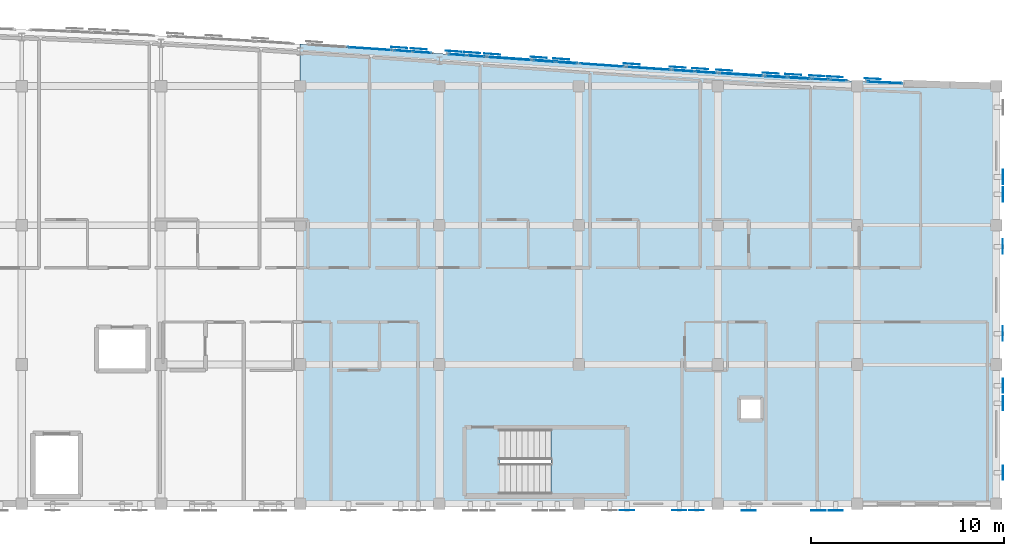
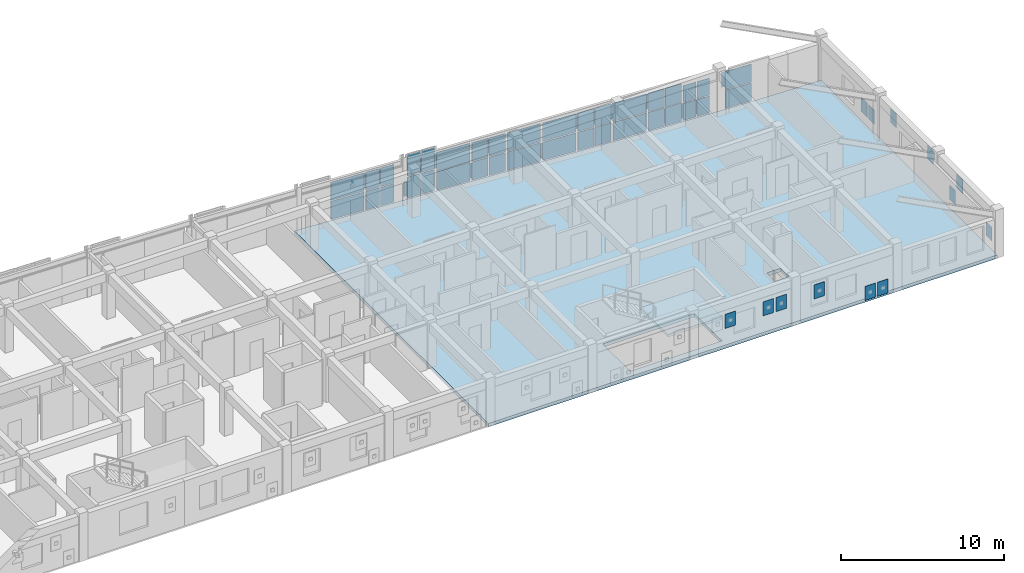
# One storey, part 36 of 51: 65 plates, 2 slabs, 13 elements without a shape of their own.
"""IFC4 building model written with IfcOpenShell, lengths in metres."""

import ifcopenshell
import ifcopenshell.guid

model = None  # the IFC model being written
_history = None  # IfcOwnerHistory: only IFC2X3 demands one
_inside = {}  # id of a spatial element -> (the spatial element, [elements in it])
_under = {}  # id of a project, library or spatial element -> (it, [spatial elements below it])
_declared = {}  # id of a project -> (the project, [libraries it declares])
_typed = {}  # id of a type object -> (the type object, [elements of that type])
_made_of = {}  # id of a material, layer set ... -> (it, [elements and type objects made of it])


def new_model(schema):
    """Start an empty IFC model of exactly this schema.

    Asked for "IFC4X3", IfcOpenShell would pick the latest addendum, in which some entities
    have other attributes; the version numbers below select the first issue.
    IFC2X3 requires an IfcOwnerHistory on every rooted entity: one is made here for all.
    """
    global model, _history
    if schema == "IFC4X3":
        model = ifcopenshell.file(schema_version=(4, 3, 0, 0))
    else:
        model = ifcopenshell.file(schema=schema)
    _inside.clear()
    _under.clear()
    _declared.clear()
    _typed.clear()
    _made_of.clear()
    _history = None
    if model.schema == "IFC2X3":
        org = make("IfcOrganization", Name="unknown")
        user = make(
            "IfcPersonAndOrganization",
            ThePerson=make("IfcPerson", FamilyName="unknown"),
            TheOrganization=org,
        )
        app = make(
            "IfcApplication",
            ApplicationDeveloper=org,
            Version="unknown",
            ApplicationFullName="unknown",
            ApplicationIdentifier="unknown",
        )
        _history = make(
            "IfcOwnerHistory",
            OwningUser=user,
            OwningApplication=app,
            ChangeAction="ADDED",
            CreationDate=0,
        )
    return model


def make(cls, **values):
    """One entity of the class cls with the attributes given. An attribute that is None is left unset."""
    return model.create_entity(
        cls, **{name: value for name, value in values.items() if value is not None}
    )


def rooted(cls, **values):
    """An entity with a GlobalId (a new one), such as an element, a storey or a relation."""
    return make(cls, GlobalId=ifcopenshell.guid.new(), OwnerHistory=_history, **values)


def si_unit(unit_type, name, prefix=None):
    """IfcSIUnit, for example si_unit("LENGTHUNIT", "METRE", prefix="MILLI")."""
    return make("IfcSIUnit", UnitType=unit_type, Prefix=prefix, Name=name)


def assignment(units):
    """IfcUnitAssignment: the units of a project."""
    return None if units is None else make("IfcUnitAssignment", Units=units)


def point(xyz):
    """IfcCartesianPoint."""
    return None if xyz is None else make("IfcCartesianPoint", Coordinates=xyz)


def direction(xyz):
    """IfcDirection."""
    return None if xyz is None else make("IfcDirection", DirectionRatios=xyz)


def frame(location, z_axis=None, x_axis=None):
    """IfcAxis2Placement3D, a coordinate frame: its origin and axes. An axis left out is left unset."""
    return make(
        "IfcAxis2Placement3D",
        Location=point(location),
        Axis=direction(z_axis),
        RefDirection=direction(x_axis),
    )


def frame_2d(location, x_axis=None):
    """IfcAxis2Placement2D, a coordinate frame in the plane: its origin and x axis."""
    return make(
        "IfcAxis2Placement2D", Location=point(location), RefDirection=direction(x_axis)
    )


def origin():
    """The frame at (0, 0, 0) with its axes left unset."""
    return frame((0.0, 0.0, 0.0))


def origin_2d():
    """The frame at (0, 0) in the plane with its x axis left unset."""
    return frame_2d((0.0, 0.0))


def place(relative_to, where):
    """IfcLocalPlacement: puts the frame where relative to a parent placement (None: the world)."""
    return make(
        "IfcLocalPlacement", PlacementRelTo=relative_to, RelativePlacement=where
    )


def context(
    kind, dimensions, precision=None, world=None, true_north=None, identifier=None
):
    """IfcGeometricRepresentationContext, for example the 3D "Model" context."""
    return make(
        "IfcGeometricRepresentationContext",
        ContextIdentifier=identifier,
        ContextType=kind,
        CoordinateSpaceDimension=dimensions,
        Precision=precision,
        WorldCoordinateSystem=world,
        TrueNorth=true_north,
    )


def subcontext(parent, identifier, kind, view, scale=None):
    """IfcGeometricRepresentationSubContext, for example "Body" below "Model"."""
    return make(
        "IfcGeometricRepresentationSubContext",
        ContextIdentifier=identifier,
        ContextType=kind,
        ParentContext=parent,
        TargetScale=scale,
        TargetView=view,
    )


def project(units=None, contexts=None):
    """IfcProject with its units and contexts."""
    return rooted(
        "IfcProject",
        Name="project",
        RepresentationContexts=contexts,
        UnitsInContext=assignment(units),
    )


def spatial(cls, under=None, at=None, **own):
    """A site, building, storey or space (cls), placed at a placement, below another one or the project."""
    s = rooted(cls, ObjectPlacement=at, **own)
    if under is not None:
        _under.setdefault(under.id(), (under, []))[1].append(s)
    return s


def polyline(points):
    """IfcPolyline through the points."""
    return make("IfcPolyline", Points=[point(p) for p in points])


def profile(cls, at=None, kind="AREA", **sizes):
    """A parametric profile (cls). Its sizes go by their IFC names, for example OverallWidth=200.0."""
    return make(cls, ProfileType=kind, Position=at, **sizes)


def rectangle(**sizes):
    """IfcRectangleProfileDef."""
    return profile("IfcRectangleProfileDef", **sizes)


def outline(outer, holes=None, kind="AREA"):
    """IfcArbitraryClosedProfileDef: a profile drawn as a closed curve; with holes, ...WithVoids."""
    if holes is None:
        return make("IfcArbitraryClosedProfileDef", ProfileType=kind, OuterCurve=outer)
    return make(
        "IfcArbitraryProfileDefWithVoids",
        ProfileType=kind,
        OuterCurve=outer,
        InnerCurves=holes,
    )


def extrude(swept, where, along, depth):
    """IfcExtrudedAreaSolid: the profile swept, set in the frame where, extruded along a direction by depth."""
    return make(
        "IfcExtrudedAreaSolid",
        SweptArea=swept,
        Position=where,
        ExtrudedDirection=direction(along),
        Depth=depth,
    )


def shape(context_of_items, identifier, shape_type, items):
    """IfcShapeRepresentation: the items that make up one representation, for example the "Body"."""
    return make(
        "IfcShapeRepresentation",
        ContextOfItems=context_of_items,
        RepresentationIdentifier=identifier,
        RepresentationType=shape_type,
        Items=items,
    )


def material(Name=None, Category=None):
    """IfcMaterial."""
    return make("IfcMaterial", Name=Name, Category=Category)


def layer(
    of_material, thickness, ventilated=None, Name=None, Category=None, Priority=None
):
    """IfcMaterialLayer: one layer of a wall or slab, of a material (None: an air gap)."""
    return make(
        "IfcMaterialLayer",
        Material=of_material,
        LayerThickness=thickness,
        IsVentilated=ventilated,
        Name=Name,
        Category=Category,
        Priority=Priority,
    )


def layer_set(layers, Name=None):
    """IfcMaterialLayerSet."""
    return make("IfcMaterialLayerSet", MaterialLayers=layers, LayerSetName=Name)


def made_of(thing, what):
    """Note that an element or type object is made of a material, layer set ...; save() writes the relation."""
    if what is not None:
        _made_of.setdefault(what.id(), (what, []))[1].append(thing)
    return thing


def type_object(cls, material=None, **own):
    """A type object (cls), such as IfcWallType, which elements share."""
    return made_of(rooted(cls, **own), material)


def element(
    cls,
    number,
    at=None,
    inside=None,
    cuts=None,
    type_object=None,
    material=None,
    context=None,
    identifier="Body",
    shape_type=None,
    held_by="IfcProductDefinitionShape",
    body=None,
    shapes=None,
    **own,
):
    """One element of the class cls, such as IfcWall. Its Tag is "e" and its number.

    at: its placement. inside: the storey or other place that contains it. cuts: it is an
    opening in that element (IfcRelVoidsElement). A single representation is given by context,
    identifier, shape_type and body (its items); several are given by shapes. held_by: the class
    of the entity that holds the representations. save() writes the other relations.
    """
    e = rooted(cls, Tag="e%d" % number, ObjectPlacement=at, **own)
    if body is not None:
        shapes = [shape(context, identifier, shape_type, body)]
    if shapes is not None:
        e.Representation = make(held_by, Representations=shapes)
    if inside is not None:
        _inside.setdefault(inside.id(), (inside, []))[1].append(e)
    if cuts is not None:
        rooted(
            "IfcRelVoidsElement", RelatingBuildingElement=cuts, RelatedOpeningElement=e
        )
    if type_object is not None:
        _typed.setdefault(type_object.id(), (type_object, []))[1].append(e)
    return made_of(e, material)


def aggregate(whole, parts):
    """IfcRelAggregates: a whole, such as a stair, and the parts it consists of."""
    return rooted("IfcRelAggregates", RelatingObject=whole, RelatedObjects=parts)


def save(model, path):
    """Write the relations noted so far, then the file.

    IfcRelAggregates (storeys below a building ...), IfcRelContainedInSpatialStructure (elements
    in a storey), IfcRelDefinesByType, IfcRelAssociatesMaterial and IfcRelDeclares: one each for
    every whole, place, type object, material and project.
    """
    for whole, parts in _under.values():
        aggregate(whole, parts)
    for where, things in _inside.values():
        rooted(
            "IfcRelContainedInSpatialStructure",
            RelatedElements=things,
            RelatingStructure=where,
        )
    for kind, things in _typed.values():
        rooted("IfcRelDefinesByType", RelatedObjects=things, RelatingType=kind)
    for what, things in _made_of.values():
        rooted("IfcRelAssociatesMaterial", RelatedObjects=things, RelatingMaterial=what)
    for by, libraries in _declared.values():
        rooted("IfcRelDeclares", RelatingContext=by, RelatedDefinitions=libraries)
    model.write(path)


model = new_model("IFC4")

# Units and contexts
model_context = context("Model", 3, precision=1e-05, world=origin(), true_north=direction((0.0, 1.0)))
body_context = subcontext(model_context, "Body", "Model", "MODEL_VIEW")
ifc_project = project(units=[si_unit("LENGTHUNIT", "METRE"), si_unit("AREAUNIT", "SQUARE_METRE"), si_unit("VOLUMEUNIT", "CUBIC_METRE"), si_unit("PLANEANGLEUNIT", "RADIAN"), si_unit("MASSUNIT", "GRAM", prefix="KILO")], contexts=[model_context])

# Site, building, storey
site_placement = place(None, origin())
site = spatial("IfcSite", under=ifc_project, at=site_placement, CompositionType="ELEMENT")
building_placement = place(site_placement, origin())
building = spatial("IfcBuilding", under=site, at=building_placement, Name="Carrowvane Square Congress Hotel", CompositionType="ELEMENT")
storey_placement = place(building_placement, frame((0.0, 0.0, 30.0)))
storey = spatial("IfcBuildingStorey", under=building, at=storey_placement, Name="L07", CompositionType="ELEMENT", Elevation=30.0)

# Curtain wall, plates
ifc_material_1 = material(Name="Anodised aluminium", Category="aluminium")
ifc_layer_1 = layer(ifc_material_1, 0.221923828125)
ifc_layer_set_1 = layer_set([ifc_layer_1], Name="Anodised aluminium")
curtain_wall_type_1 = type_object("IfcCurtainWallType", Name="CW-SYS-6", PredefinedType="NOTDEFINED", material=ifc_layer_set_1)
curtain_wall_1_placement = place(storey_placement, origin())
curtain_wall_1 = element("IfcCurtainWall", 1, at=curtain_wall_1_placement, inside=storey, type_object=curtain_wall_type_1, Name="L07 unitised curtain wall 445", PredefinedType="NOTDEFINED")
ifc_material_2 = material(Name="Double-glazed low-E glass", Category="glass")
ifc_layer_2 = layer(ifc_material_2, 0.028076171875)
ifc_layer_set_2 = layer_set([ifc_layer_2], Name="Double-glazed low-E glass")
plate_type_1 = type_object("IfcPlateType", Name="CW-PAN-1", PredefinedType="CURTAIN_PANEL", material=ifc_layer_set_2)
plate_1_placement = place(storey_placement, frame((130.39990234375, 115.33544921875, 0.070068359375), z_axis=(0.0, 0.0, 1.0), x_axis=(0.99769420292, -0.067869562107, 0.0)))
plate_1 = element("IfcPlate", 2, at=plate_1_placement, type_object=plate_type_1, Name="CW-6 panel 1.1", PredefinedType="CURTAIN_PANEL", context=body_context, shape_type="SweptSolid", body=[
    extrude(rectangle(XDim=2.265380859375, YDim=0.028076171875, at=origin_2d()), origin(), (0.0, 0.0, 1.0), 1.36279296875),
])
plate_2_placement = place(storey_placement, frame((130.39990234375, 115.33544921875, 1.502685546875), z_axis=(0.0, 0.0, 1.0), x_axis=(0.99769420292, -0.067869562107, 0.0)))
plate_2 = element("IfcPlate", 3, at=plate_2_placement, type_object=plate_type_1, Name="CW-6 panel 1.2", PredefinedType="CURTAIN_PANEL", context=body_context, shape_type="SweptSolid", body=[
    extrude(rectangle(XDim=2.265380859375, YDim=0.028076171875, at=origin_2d()), origin(), (0.0, 0.0, 1.0), 1.36279296875),
])
aggregate(curtain_wall_1, [plate_1, plate_2])

ifc_material_3 = material(Name="Anodised aluminium", Category="aluminium")
ifc_layer_3 = layer(ifc_material_3, 0.18603515625)
ifc_layer_set_3 = layer_set([ifc_layer_3], Name="Anodised aluminium")
curtain_wall_type_2 = type_object("IfcCurtainWallType", Name="CW-SYS-3", PredefinedType="NOTDEFINED", material=ifc_layer_set_3)
curtain_wall_2_placement = place(storey_placement, origin())
curtain_wall_2 = element("IfcCurtainWall", 4, at=curtain_wall_2_placement, inside=storey, type_object=curtain_wall_type_2, Name="L07 unitised curtain wall 450", PredefinedType="NOTDEFINED")
plate_3_placement = place(storey_placement, frame((142.39990234375, 114.486328125, 0.06005859375), z_axis=(0.0, 0.0, 1.0), x_axis=(0.997505697746, -0.070585996942, 0.0)))
plate_3 = element("IfcPlate", 5, at=plate_3_placement, type_object=plate_type_1, Name="CW-3 panel 1.1", PredefinedType="CURTAIN_PANEL", context=body_context, shape_type="SweptSolid", body=[
    extrude(rectangle(XDim=2.285888671875, YDim=0.028076171875, at=origin_2d()), origin(), (0.0, 0.0, 1.0), 1.377685546875),
])
plate_4_placement = place(storey_placement, frame((142.39990234375, 114.486328125, 1.498046875), z_axis=(0.0, 0.0, 1.0), x_axis=(0.997505697746, -0.070585996942, 0.0)))
plate_4 = element("IfcPlate", 6, at=plate_4_placement, type_object=plate_type_1, Name="CW-3 panel 1.2", PredefinedType="CURTAIN_PANEL", context=body_context, shape_type="SweptSolid", body=[
    extrude(rectangle(XDim=2.285888671875, YDim=0.028076171875, at=origin_2d()), origin(), (0.0, 0.0, 1.0), 1.377685546875),
])
aggregate(curtain_wall_2, [plate_3, plate_4])

ifc_material_4 = material(Name="Anodised aluminium", Category="aluminium")
ifc_layer_4 = layer(ifc_material_4, 0.24609375)
ifc_layer_set_4 = layer_set([ifc_layer_4], Name="Anodised aluminium")
curtain_wall_type_3 = type_object("IfcCurtainWallType", Name="CW-SYS-8", PredefinedType="NOTDEFINED", material=ifc_layer_set_4)
curtain_wall_3_placement = place(storey_placement, origin())
curtain_wall_3 = element("IfcCurtainWall", 7, at=curtain_wall_3_placement, inside=storey, type_object=curtain_wall_type_3, Name="L07 unitised curtain wall 455", PredefinedType="NOTDEFINED")
plate_5_placement = place(storey_placement, frame((153.70166015625, 113.75439453125, 0.070068359375), z_axis=(0.0, 0.0, 1.0), x_axis=(0.998566981227, -0.053516203185, 0.0)))
plate_5 = element("IfcPlate", 8, at=plate_5_placement, type_object=plate_type_1, Name="CW-8 panel 1.1", PredefinedType="CURTAIN_PANEL", context=body_context, shape_type="SweptSolid", body=[
    extrude(rectangle(XDim=0.86474609375, YDim=0.028076171875, at=origin_2d()), origin(), (0.0, 0.0, 1.0), 1.267578125),
])
plate_6_placement = place(storey_placement, frame((153.70166015625, 113.75439453125, 1.407470703125), z_axis=(0.0, 0.0, 1.0), x_axis=(0.998566981227, -0.053516203185, 0.0)))
plate_6 = element("IfcPlate", 9, at=plate_6_placement, type_object=plate_type_1, Name="CW-8 panel 1.2", PredefinedType="CURTAIN_PANEL", context=body_context, shape_type="SweptSolid", body=[
    extrude(rectangle(XDim=0.86474609375, YDim=0.028076171875, at=origin_2d()), origin(), (0.0, 0.0, 1.0), 1.267578125),
])
plate_7_placement = place(storey_placement, frame((154.63525390625, 113.704345703125, 0.070068359375), z_axis=(0.0, 0.0, 1.0), x_axis=(0.998566981227, -0.053516203185, 0.0)))
plate_7 = element("IfcPlate", 10, at=plate_7_placement, type_object=plate_type_1, Name="CW-8 panel 2.1", PredefinedType="CURTAIN_PANEL", context=body_context, shape_type="SweptSolid", body=[
    extrude(rectangle(XDim=0.86474609375, YDim=0.028076171875, at=origin_2d()), origin(), (0.0, 0.0, 1.0), 1.267578125),
])
plate_8_placement = place(storey_placement, frame((154.63525390625, 113.704345703125, 1.407470703125), z_axis=(0.0, 0.0, 1.0), x_axis=(0.998566981227, -0.053516203185, 0.0)))
plate_8 = element("IfcPlate", 11, at=plate_8_placement, type_object=plate_type_1, Name="CW-8 panel 2.2", PredefinedType="CURTAIN_PANEL", context=body_context, shape_type="SweptSolid", body=[
    extrude(rectangle(XDim=0.86474609375, YDim=0.028076171875, at=origin_2d()), origin(), (0.0, 0.0, 1.0), 1.267578125),
])
aggregate(curtain_wall_3, [plate_5, plate_6, plate_7, plate_8])

ifc_material_5 = material(Name="Anodised aluminium", Category="aluminium")
ifc_layer_5 = layer(ifc_material_5, 0.23388671875)
ifc_layer_set_5 = layer_set([ifc_layer_5], Name="Anodised aluminium")
curtain_wall_type_4 = type_object("IfcCurtainWallType", Name="CW-SYS-7", PredefinedType="NOTDEFINED", material=ifc_layer_set_5)
curtain_wall_4_placement = place(storey_placement, origin())
curtain_wall_4 = element("IfcCurtainWall", 12, at=curtain_wall_4_placement, inside=storey, type_object=curtain_wall_type_4, Name="L07 unitised curtain wall 446", PredefinedType="NOTDEFINED")
ifc_material_6 = material(Name="Double-glazed low-E glass", Category="glass")
ifc_layer_6 = layer(ifc_material_6, 0.031982421875)
ifc_layer_set_6 = layer_set([ifc_layer_6], Name="Double-glazed low-E glass")
plate_type_2 = type_object("IfcPlateType", Name="CW-PAN-2", PredefinedType="CURTAIN_PANEL", material=ifc_layer_set_6)
plate_9_placement = place(storey_placement, frame((132.125732421875, 115.217041015625, 0.06005859375), z_axis=(0.0, 0.0, 1.0), x_axis=(0.997566119277, -0.069726879118, 0.0)))
plate_9 = element("IfcPlate", 13, at=plate_9_placement, type_object=plate_type_2, Name="CW-7 panel 1.1", PredefinedType="CURTAIN_PANEL", context=body_context, shape_type="SweptSolid", body=[
    extrude(rectangle(XDim=0.933837890625, YDim=0.031982421875, at=origin_2d()), origin(), (0.0, 0.0, 1.0), 1.377685546875),
])
plate_10_placement = place(storey_placement, frame((132.125732421875, 115.217041015625, 1.498046875), z_axis=(0.0, 0.0, 1.0), x_axis=(0.997566119277, -0.069726879118, 0.0)))
plate_10 = element("IfcPlate", 14, at=plate_10_placement, type_object=plate_type_2, Name="CW-7 panel 1.2", PredefinedType="CURTAIN_PANEL", context=body_context, shape_type="SweptSolid", body=[
    extrude(rectangle(XDim=0.933837890625, YDim=0.031982421875, at=origin_2d()), origin(), (0.0, 0.0, 1.0), 1.377685546875),
])
plate_11_placement = place(storey_placement, frame((133.1171875, 115.147705078125, 0.06005859375), z_axis=(0.0, 0.0, 1.0), x_axis=(0.997566119277, -0.069726879118, 0.0)))
plate_11 = element("IfcPlate", 15, at=plate_11_placement, type_object=plate_type_2, Name="CW-7 panel 2.1", PredefinedType="CURTAIN_PANEL", context=body_context, shape_type="SweptSolid", body=[
    extrude(rectangle(XDim=0.933837890625, YDim=0.031982421875, at=origin_2d()), origin(), (0.0, 0.0, 1.0), 1.377685546875),
])
plate_12_placement = place(storey_placement, frame((133.1171875, 115.147705078125, 1.498046875), z_axis=(0.0, 0.0, 1.0), x_axis=(0.997566119277, -0.069726879118, 0.0)))
plate_12 = element("IfcPlate", 16, at=plate_12_placement, type_object=plate_type_2, Name="CW-7 panel 2.2", PredefinedType="CURTAIN_PANEL", context=body_context, shape_type="SweptSolid", body=[
    extrude(rectangle(XDim=0.933837890625, YDim=0.031982421875, at=origin_2d()), origin(), (0.0, 0.0, 1.0), 1.377685546875),
])
aggregate(curtain_wall_4, [plate_9, plate_10, plate_11, plate_12])

ifc_material_7 = material(Name="Anodised aluminium", Category="aluminium")
ifc_layer_7 = layer(ifc_material_7, 0.197998046875)
ifc_layer_set_7 = layer_set([ifc_layer_7], Name="Anodised aluminium")
curtain_wall_type_5 = type_object("IfcCurtainWallType", Name="CW-SYS-4", PredefinedType="NOTDEFINED", material=ifc_layer_set_7)
curtain_wall_5_placement = place(storey_placement, origin())
curtain_wall_5 = element("IfcCurtainWall", 17, at=curtain_wall_5_placement, inside=storey, type_object=curtain_wall_type_5, Name="L07 unitised curtain wall 451", PredefinedType="NOTDEFINED")
plate_13_placement = place(storey_placement, frame((144.800048828125, 114.318359375, 0.070068359375), z_axis=(0.0, 0.0, 1.0), x_axis=(0.997617619706, -0.068986120725, 0.0)))
plate_13 = element("IfcPlate", 18, at=plate_13_placement, type_object=plate_type_2, Name="CW-4 panel 1.1", PredefinedType="CURTAIN_PANEL", context=body_context, shape_type="SweptSolid", body=[
    extrude(rectangle(XDim=2.265625, YDim=0.031982421875, at=origin_2d()), origin(), (0.0, 0.0, 1.0), 1.36279296875),
])
plate_14_placement = place(storey_placement, frame((144.800048828125, 114.318359375, 1.502685546875), z_axis=(0.0, 0.0, 1.0), x_axis=(0.997617619706, -0.068986120725, 0.0)))
plate_14 = element("IfcPlate", 19, at=plate_14_placement, type_object=plate_type_2, Name="CW-4 panel 1.2", PredefinedType="CURTAIN_PANEL", context=body_context, shape_type="SweptSolid", body=[
    extrude(rectangle(XDim=2.265625, YDim=0.031982421875, at=origin_2d()), origin(), (0.0, 0.0, 1.0), 1.36279296875),
])
aggregate(curtain_wall_5, [plate_13, plate_14])

ifc_material_8 = material(Name="Anodised aluminium", Category="aluminium")
ifc_layer_8 = layer(ifc_material_8, 0.162109375)
ifc_layer_set_8 = layer_set([ifc_layer_8], Name="Anodised aluminium")
curtain_wall_type_6 = type_object("IfcCurtainWallType", Name="CW-SYS-1", PredefinedType="NOTDEFINED", material=ifc_layer_set_8)
curtain_wall_6_placement = place(storey_placement, origin())
curtain_wall_6 = element("IfcCurtainWall", 20, at=curtain_wall_6_placement, inside=storey, type_object=curtain_wall_type_6, Name="L07 unitised curtain wall 456", PredefinedType="NOTDEFINED")
plate_15_placement = place(storey_placement, frame((157.044189453125, 113.58544921875, 0.06005859375), z_axis=(0.0, 0.0, 1.0), x_axis=(0.998917263935, -0.046522035775, 0.0)))
plate_15 = element("IfcPlate", 21, at=plate_15_placement, type_object=plate_type_2, Name="CW-1 panel 1.1", PredefinedType="CURTAIN_PANEL", context=body_context, shape_type="SweptSolid", body=[
    extrude(rectangle(XDim=1.79345703125, YDim=0.031982421875, at=origin_2d()), origin(), (0.0, 0.0, 1.0), 1.340087890625),
])
plate_16_placement = place(storey_placement, frame((157.044189453125, 113.58544921875, 1.46044921875), z_axis=(0.0, 0.0, 1.0), x_axis=(0.998917263935, -0.046522035775, 0.0)))
plate_16 = element("IfcPlate", 22, at=plate_16_placement, type_object=plate_type_2, Name="CW-1 panel 1.2", PredefinedType="CURTAIN_PANEL", context=body_context, shape_type="SweptSolid", body=[
    extrude(rectangle(XDim=1.79345703125, YDim=0.031982421875, at=origin_2d()), origin(), (0.0, 0.0, 1.0), 1.340087890625),
])
aggregate(curtain_wall_6, [plate_15, plate_16])

curtain_wall_7_placement = place(storey_placement, origin())
curtain_wall_7 = element("IfcCurtainWall", 23, at=curtain_wall_7_placement, inside=storey, type_object=curtain_wall_type_3, Name="L07 unitised curtain wall 447", PredefinedType="NOTDEFINED")
ifc_material_9 = material(Name="Double-glazed low-E glass", Category="glass")
ifc_layer_9 = layer(ifc_material_9, 0.035888671875)
ifc_layer_set_9 = layer_set([ifc_layer_9], Name="Double-glazed low-E glass")
plate_type_3 = type_object("IfcPlateType", Name="CW-PAN-3", PredefinedType="CURTAIN_PANEL", material=ifc_layer_set_9)
plate_17_placement = place(storey_placement, frame((134.92529296875, 115.02001953125, 0.06982421875), z_axis=(0.0, 0.0, 1.0), x_axis=(0.997479171673, -0.070959862453, 0.0)))
plate_17 = element("IfcPlate", 24, at=plate_17_placement, type_object=plate_type_3, Name="CW-8 panel 1.1", PredefinedType="CURTAIN_PANEL", context=body_context, shape_type="SweptSolid", body=[
    extrude(rectangle(XDim=0.892333984375, YDim=0.035888671875, at=origin_2d()), origin(), (0.0, 0.0, 1.0), 1.574951171875),
])
plate_18_placement = place(storey_placement, frame((134.92529296875, 115.02001953125, 1.71484375), z_axis=(0.0, 0.0, 1.0), x_axis=(0.997479171673, -0.070959862453, 0.0)))
plate_18 = element("IfcPlate", 25, at=plate_18_placement, type_object=plate_type_3, Name="CW-8 panel 1.2", PredefinedType="CURTAIN_PANEL", context=body_context, shape_type="SweptSolid", body=[
    extrude(rectangle(XDim=0.892333984375, YDim=0.035888671875, at=origin_2d()), origin(), (0.0, 0.0, 1.0), 1.574951171875),
])
plate_19_placement = place(storey_placement, frame((135.88525390625, 114.951904296875, 0.06982421875), z_axis=(0.0, 0.0, 1.0), x_axis=(0.997479171673, -0.070959862453, 0.0)))
plate_19 = element("IfcPlate", 26, at=plate_19_placement, type_object=plate_type_3, Name="CW-8 panel 2.1", PredefinedType="CURTAIN_PANEL", context=body_context, shape_type="SweptSolid", body=[
    extrude(rectangle(XDim=0.892333984375, YDim=0.035888671875, at=origin_2d()), origin(), (0.0, 0.0, 1.0), 1.574951171875),
])
plate_20_placement = place(storey_placement, frame((135.88525390625, 114.951904296875, 1.71484375), z_axis=(0.0, 0.0, 1.0), x_axis=(0.997479171673, -0.070959862453, 0.0)))
plate_20 = element("IfcPlate", 27, at=plate_20_placement, type_object=plate_type_3, Name="CW-8 panel 2.2", PredefinedType="CURTAIN_PANEL", context=body_context, shape_type="SweptSolid", body=[
    extrude(rectangle(XDim=0.892333984375, YDim=0.035888671875, at=origin_2d()), origin(), (0.0, 0.0, 1.0), 1.574951171875),
])
aggregate(curtain_wall_7, [plate_17, plate_18, plate_19, plate_20])

ifc_material_10 = material(Name="Anodised aluminium", Category="aluminium")
ifc_layer_10 = layer(ifc_material_10, 0.2099609375)
ifc_layer_set_10 = layer_set([ifc_layer_10], Name="Anodised aluminium")
curtain_wall_type_7 = type_object("IfcCurtainWallType", Name="CW-SYS-5", PredefinedType="NOTDEFINED", material=ifc_layer_set_10)
curtain_wall_8_placement = place(storey_placement, origin())
curtain_wall_8 = element("IfcCurtainWall", 28, at=curtain_wall_8_placement, inside=storey, type_object=curtain_wall_type_7, Name="L07 unitised curtain wall 452", PredefinedType="NOTDEFINED")
plate_21_placement = place(storey_placement, frame((146.614990234375, 114.1943359375, 0.06005859375), z_axis=(0.0, 0.0, 1.0), x_axis=(0.997781495544, -0.06657392244, 0.0)))
plate_21 = element("IfcPlate", 29, at=plate_21_placement, type_object=plate_type_3, Name="CW-5 panel 1.1", PredefinedType="CURTAIN_PANEL", context=body_context, shape_type="SweptSolid", body=[
    extrude(rectangle(XDim=1.112548828125, YDim=0.035888671875, at=origin_2d()), origin(), (0.0, 0.0, 1.0), 1.377685546875),
])
plate_22_placement = place(storey_placement, frame((146.614990234375, 114.1943359375, 1.498046875), z_axis=(0.0, 0.0, 1.0), x_axis=(0.997781495544, -0.06657392244, 0.0)))
plate_22 = element("IfcPlate", 30, at=plate_22_placement, type_object=plate_type_3, Name="CW-5 panel 1.2", PredefinedType="CURTAIN_PANEL", context=body_context, shape_type="SweptSolid", body=[
    extrude(rectangle(XDim=1.112548828125, YDim=0.035888671875, at=origin_2d()), origin(), (0.0, 0.0, 1.0), 1.377685546875),
])
plate_23_placement = place(storey_placement, frame((147.784912109375, 114.116455078125, 0.06005859375), z_axis=(0.0, 0.0, 1.0), x_axis=(0.997781495544, -0.06657392244, 0.0)))
plate_23 = element("IfcPlate", 31, at=plate_23_placement, type_object=plate_type_3, Name="CW-5 panel 2.1", PredefinedType="CURTAIN_PANEL", context=body_context, shape_type="SweptSolid", body=[
    extrude(rectangle(XDim=1.112548828125, YDim=0.035888671875, at=origin_2d()), origin(), (0.0, 0.0, 1.0), 1.377685546875),
])
plate_24_placement = place(storey_placement, frame((147.784912109375, 114.116455078125, 1.498046875), z_axis=(0.0, 0.0, 1.0), x_axis=(0.997781495544, -0.06657392244, 0.0)))
plate_24 = element("IfcPlate", 32, at=plate_24_placement, type_object=plate_type_3, Name="CW-5 panel 2.2", PredefinedType="CURTAIN_PANEL", context=body_context, shape_type="SweptSolid", body=[
    extrude(rectangle(XDim=1.112548828125, YDim=0.035888671875, at=origin_2d()), origin(), (0.0, 0.0, 1.0), 1.377685546875),
])
aggregate(curtain_wall_8, [plate_21, plate_22, plate_23, plate_24])

curtain_wall_9_placement = place(storey_placement, origin())
curtain_wall_9 = element("IfcCurtainWall", 33, at=curtain_wall_9_placement, inside=storey, type_object=curtain_wall_type_6, Name="L07 unitised curtain wall 448", PredefinedType="NOTDEFINED")
ifc_material_11 = material(Name="Double-glazed low-E glass", Category="glass")
ifc_layer_11 = layer(ifc_material_11, 0.0419921875)
ifc_layer_set_11 = layer_set([ifc_layer_11], Name="Double-glazed low-E glass")
plate_type_4 = type_object("IfcPlateType", Name="CW-PAN-4", PredefinedType="CURTAIN_PANEL", material=ifc_layer_set_11)
plate_25_placement = place(storey_placement, frame((137.60009765625, 114.8291015625, 0.06005859375), z_axis=(0.0, 0.0, 1.0), x_axis=(0.997438322595, -0.071531759512, 0.0)))
plate_25 = element("IfcPlate", 34, at=plate_25_placement, type_object=plate_type_4, Name="CW-1 panel 1.1", PredefinedType="CURTAIN_PANEL", context=body_context, shape_type="SweptSolid", body=[
    extrude(rectangle(XDim=2.2861328125, YDim=0.0419921875, at=origin_2d()), origin(), (0.0, 0.0, 1.0), 1.377685546875),
])
plate_26_placement = place(storey_placement, frame((137.60009765625, 114.8291015625, 1.498046875), z_axis=(0.0, 0.0, 1.0), x_axis=(0.997438322595, -0.071531759512, 0.0)))
plate_26 = element("IfcPlate", 35, at=plate_26_placement, type_object=plate_type_4, Name="CW-1 panel 1.2", PredefinedType="CURTAIN_PANEL", context=body_context, shape_type="SweptSolid", body=[
    extrude(rectangle(XDim=2.2861328125, YDim=0.0419921875, at=origin_2d()), origin(), (0.0, 0.0, 1.0), 1.377685546875),
])
aggregate(curtain_wall_9, [plate_25, plate_26])

curtain_wall_10_placement = place(storey_placement, origin())
curtain_wall_10 = element("IfcCurtainWall", 36, at=curtain_wall_10_placement, inside=storey, type_object=curtain_wall_type_1, Name="L07 unitised curtain wall 453", PredefinedType="NOTDEFINED")
plate_27_placement = place(storey_placement, frame((149.60009765625, 113.999267578125, 0.070068359375), z_axis=(0.0, 0.0, 1.0), x_axis=(0.997996225303, -0.063273487972, 0.0)))
plate_27 = element("IfcPlate", 37, at=plate_27_placement, type_object=plate_type_4, Name="CW-6 panel 1.1", PredefinedType="CURTAIN_PANEL", context=body_context, shape_type="SweptSolid", body=[
    extrude(rectangle(XDim=2.264892578125, YDim=0.0419921875, at=origin_2d()), origin(), (0.0, 0.0, 1.0), 1.36279296875),
])
plate_28_placement = place(storey_placement, frame((149.60009765625, 113.999267578125, 1.502685546875), z_axis=(0.0, 0.0, 1.0), x_axis=(0.997996225303, -0.063273487972, 0.0)))
plate_28 = element("IfcPlate", 38, at=plate_28_placement, type_object=plate_type_4, Name="CW-6 panel 1.2", PredefinedType="CURTAIN_PANEL", context=body_context, shape_type="SweptSolid", body=[
    extrude(rectangle(XDim=2.264892578125, YDim=0.0419921875, at=origin_2d()), origin(), (0.0, 0.0, 1.0), 1.36279296875),
])
aggregate(curtain_wall_10, [plate_27, plate_28])

ifc_material_12 = material(Name="Anodised aluminium", Category="aluminium")
ifc_layer_12 = layer(ifc_material_12, 0.174072265625)
ifc_layer_set_12 = layer_set([ifc_layer_12], Name="Anodised aluminium")
curtain_wall_type_8 = type_object("IfcCurtainWallType", Name="CW-SYS-2", PredefinedType="NOTDEFINED", material=ifc_layer_set_12)
curtain_wall_11_placement = place(storey_placement, origin())
curtain_wall_11 = element("IfcCurtainWall", 39, at=curtain_wall_11_placement, inside=storey, type_object=curtain_wall_type_8, Name="L07 unitised curtain wall 449", PredefinedType="NOTDEFINED")
ifc_material_13 = material(Name="Double-glazed low-E glass", Category="glass")
ifc_layer_13 = layer(ifc_material_13, 0.048095703125)
ifc_layer_set_13 = layer_set([ifc_layer_13], Name="Double-glazed low-E glass")
plate_type_5 = type_object("IfcPlateType", Name="CW-PAN-5", PredefinedType="CURTAIN_PANEL", material=ifc_layer_set_13)
plate_29_placement = place(storey_placement, frame((139.41748046875, 114.698974609375, 0.070068359375), z_axis=(0.0, 0.0, 1.0), x_axis=(0.997446152826, -0.071422490945, 0.0)))
plate_29 = element("IfcPlate", 40, at=plate_29_placement, type_object=plate_type_5, Name="CW-2 panel 1.1", PredefinedType="CURTAIN_PANEL", context=body_context, shape_type="SweptSolid", body=[
    extrude(rectangle(XDim=1.09814453125, YDim=0.048095703125, at=origin_2d()), origin(), (0.0, 0.0, 1.0), 1.36279296875),
])
plate_30_placement = place(storey_placement, frame((139.41748046875, 114.698974609375, 1.502685546875), z_axis=(0.0, 0.0, 1.0), x_axis=(0.997446152826, -0.071422490945, 0.0)))
plate_30 = element("IfcPlate", 41, at=plate_30_placement, type_object=plate_type_5, Name="CW-2 panel 1.2", PredefinedType="CURTAIN_PANEL", context=body_context, shape_type="SweptSolid", body=[
    extrude(rectangle(XDim=1.09814453125, YDim=0.048095703125, at=origin_2d()), origin(), (0.0, 0.0, 1.0), 1.36279296875),
])
plate_31_placement = place(storey_placement, frame((140.58251953125, 114.615478515625, 0.070068359375), z_axis=(0.0, 0.0, 1.0), x_axis=(0.997446152826, -0.071422490945, 0.0)))
plate_31 = element("IfcPlate", 42, at=plate_31_placement, type_object=plate_type_5, Name="CW-2 panel 2.1", PredefinedType="CURTAIN_PANEL", context=body_context, shape_type="SweptSolid", body=[
    extrude(rectangle(XDim=1.09814453125, YDim=0.048095703125, at=origin_2d()), origin(), (0.0, 0.0, 1.0), 1.36279296875),
])
plate_32_placement = place(storey_placement, frame((140.58251953125, 114.615478515625, 1.502685546875), z_axis=(0.0, 0.0, 1.0), x_axis=(0.997446152826, -0.071422490945, 0.0)))
plate_32 = element("IfcPlate", 43, at=plate_32_placement, type_object=plate_type_5, Name="CW-2 panel 2.2", PredefinedType="CURTAIN_PANEL", context=body_context, shape_type="SweptSolid", body=[
    extrude(rectangle(XDim=1.09814453125, YDim=0.048095703125, at=origin_2d()), origin(), (0.0, 0.0, 1.0), 1.36279296875),
])
aggregate(curtain_wall_11, [plate_29, plate_30, plate_31, plate_32])

curtain_wall_12_placement = place(storey_placement, origin())
curtain_wall_12 = element("IfcCurtainWall", 44, at=curtain_wall_12_placement, inside=storey, type_object=curtain_wall_type_4, Name="L07 unitised curtain wall 454", PredefinedType="NOTDEFINED")
plate_33_placement = place(storey_placement, frame((151.4150390625, 113.88671875, 0.06005859375), z_axis=(0.0, 0.0, 1.0), x_axis=(0.99825866099, -0.058988522254, 0.0)))
plate_33 = element("IfcPlate", 45, at=plate_33_placement, type_object=plate_type_5, Name="CW-7 panel 1.1", PredefinedType="CURTAIN_PANEL", context=body_context, shape_type="SweptSolid", body=[
    extrude(rectangle(XDim=1.112060546875, YDim=0.048095703125, at=origin_2d()), origin(), (0.0, 0.0, 1.0), 1.377685546875),
])
plate_34_placement = place(storey_placement, frame((151.4150390625, 113.88671875, 1.498046875), z_axis=(0.0, 0.0, 1.0), x_axis=(0.99825866099, -0.058988522254, 0.0)))
plate_34 = element("IfcPlate", 46, at=plate_34_placement, type_object=plate_type_5, Name="CW-7 panel 1.2", PredefinedType="CURTAIN_PANEL", context=body_context, shape_type="SweptSolid", body=[
    extrude(rectangle(XDim=1.112060546875, YDim=0.048095703125, at=origin_2d()), origin(), (0.0, 0.0, 1.0), 1.377685546875),
])
plate_35_placement = place(storey_placement, frame((152.5849609375, 113.817626953125, 0.06005859375), z_axis=(0.0, 0.0, 1.0), x_axis=(0.99825866099, -0.058988522254, 0.0)))
plate_35 = element("IfcPlate", 47, at=plate_35_placement, type_object=plate_type_5, Name="CW-7 panel 2.1", PredefinedType="CURTAIN_PANEL", context=body_context, shape_type="SweptSolid", body=[
    extrude(rectangle(XDim=1.112060546875, YDim=0.048095703125, at=origin_2d()), origin(), (0.0, 0.0, 1.0), 1.377685546875),
])
plate_36_placement = place(storey_placement, frame((152.5849609375, 113.817626953125, 1.498046875), z_axis=(0.0, 0.0, 1.0), x_axis=(0.99825866099, -0.058988522254, 0.0)))
plate_36 = element("IfcPlate", 48, at=plate_36_placement, type_object=plate_type_5, Name="CW-7 panel 2.2", PredefinedType="CURTAIN_PANEL", context=body_context, shape_type="SweptSolid", body=[
    extrude(rectangle(XDim=1.112060546875, YDim=0.048095703125, at=origin_2d()), origin(), (0.0, 0.0, 1.0), 1.377685546875),
])
aggregate(curtain_wall_12, [plate_33, plate_34, plate_35, plate_36])

# Plates
ifc_material_14 = material(Name="Champagne-gold anodised aluminium", Category="aluminium")
ifc_layer_14 = layer(ifc_material_14, 0.011962890625)
ifc_layer_set_14 = layer_set([ifc_layer_14], Name="Champagne-gold anodised aluminium")
plate_type_6 = type_object("IfcPlateType", Name="PLT-PIX-GOLD12", PredefinedType="SHEET", material=ifc_layer_set_14)
for number, where, z_axis, x_axis, name in (
    (49, (134.746337890625, 115.19921875, 0.119873046875), (0.0, 0.0, 1.0), (0.997479379392, -0.070956942496, 0.0), "Champagne-gold pixel screen plate 681"),
    (50, (135.7060546875, 115.131103515625, 1.58984375), (0.0, 0.0, 1.0), (0.997479379392, -0.070956942496, 0.0), "Champagne-gold pixel screen plate 682"),
    (51, (139.1357421875, 114.885498046875, 0.119873046875), (0.0, 0.0, 1.0), (0.997446326449, -0.071420066188, 0.0), "Champagne-gold pixel screen plate 684"),
    (52, (140.30078125, 114.802001953125, 1.58984375), (0.0, 0.0, 1.0), (0.997446326449, -0.071420066188, 0.0), "Champagne-gold pixel screen plate 685"),
    (53, (143.935546875, 114.544677734375, 0.119873046875), (0.0, 0.0, 1.0), (0.99761759323, -0.068986503591, 0.0), "Champagne-gold pixel screen plate 686"),
    (54, (148.734619140625, 114.220458984375, 1.58984375), (0.0, 0.0, 1.0), (0.997996022269, -0.063276690295, 0.0), "Champagne-gold pixel screen plate 689"),
):
    element("IfcPlate", number, at=place(storey_placement, frame(where, z_axis=z_axis, x_axis=x_axis)), inside=storey, type_object=plate_type_6, Name=name, PredefinedType="SHEET", context=body_context, shape_type="SweptSolid", body=[
        extrude(rectangle(XDim=0.827880859375, YDim=0.011962890625, at=origin_2d()), origin(), (0.0, 0.0, 1.0), 1.1201171875),
    ])
for number, where, z_axis, x_axis, name in (
    (55, (153.528564453125, 113.929931640625, 0.119873046875), (0.0, 0.0, 1.0), (0.998566941363, -0.053516947007, 0.0), "Champagne-gold pixel screen plate 692"),
    (56, (154.462158203125, 113.8798828125, 0.119873046875), (0.0, 0.0, 1.0), (0.998566941363, -0.053516947007, 0.0), "Champagne-gold pixel screen plate 693"),
):
    element("IfcPlate", number, at=place(storey_placement, frame(where, z_axis=z_axis, x_axis=x_axis)), inside=storey, type_object=plate_type_6, Name=name, PredefinedType="SHEET", context=body_context, shape_type="SweptSolid", body=[
        extrude(rectangle(XDim=0.814697265625, YDim=0.011962890625, at=origin_2d()), origin(), (0.0, 0.0, 1.0), 1.1201171875),
    ])
for number, where, z_axis, x_axis, name in (
    (57, (163.14599609375, 108.699951171875, 0.15478515625), (0.0, 0.0, 1.0), (0.0, -1.0, 0.0), "Champagne-gold pixel screen plate S-696"),
    (58, (163.14599609375, 107.800048828125, 0.15478515625), (0.0, 0.0, 1.0), (0.0, -1.0, 0.0), "Champagne-gold pixel screen plate S-697"),
    (59, (163.14599609375, 97.89990234375, 0.15478515625), (0.0, 0.0, 1.0), (0.0, -1.0, 0.0), "Champagne-gold pixel screen plate S-700"),
    (60, (163.14599609375, 97.0, 1.52001953125), (0.0, 0.0, 1.0), (0.0, -1.0, 0.0), "Champagne-gold pixel screen plate S-701"),
    (61, (163.14599609375, 93.39990234375, 0.15478515625), (0.0, 0.0, 1.0), (0.0, -1.0, 0.0), "Champagne-gold pixel screen plate S-702"),
    (62, (154.5, 91.4541015625, 0.15478515625), (0.0, 0.0, 1.0), (-1.0, 0.0, 0.0), "Champagne-gold pixel screen plate S-703"),
    (63, (153.60009765625, 91.4541015625, 0.15478515625), (0.0, 0.0, 1.0), (-1.0, 0.0, 0.0), "Champagne-gold pixel screen plate S-704"),
    (64, (150.0, 91.4541015625, 1.52490234375), (0.0, 0.0, 1.0), (-1.0, 0.0, 0.0), "Champagne-gold pixel screen plate S-705"),
):
    element("IfcPlate", number, at=place(storey_placement, frame(where, z_axis=z_axis, x_axis=x_axis)), inside=storey, type_object=plate_type_6, Name=name, PredefinedType="SHEET", context=body_context, shape_type="SweptSolid", body=[
        extrude(rectangle(XDim=0.738037109375, YDim=0.011962890625, at=origin_2d()), origin(), (0.0, 0.0, 1.0), 1.050048828125),
    ])
ifc_material_15 = material(Name="Champagne-gold anodised aluminium", Category="aluminium")
ifc_layer_15 = layer(ifc_material_15, 0.008056640625)
ifc_layer_set_15 = layer_set([ifc_layer_15], Name="Champagne-gold anodised aluminium")
plate_type_7 = type_object("IfcPlateType", Name="PLT-PIX-GOLD8", PredefinedType="SHEET", material=ifc_layer_set_15)
for number, where, z_axis, x_axis, name in (
    (65, (131.930419921875, 115.39501953125, 1.58984375), (0.0, 0.0, 1.0), (0.997566258056, -0.069724893606, 0.0), "Champagne-gold pixel screen plate 679"),
    (66, (132.921875, 115.32568359375, 1.58984375), (0.0, 0.0, 1.0), (0.997566258056, -0.069724893606, 0.0), "Champagne-gold pixel screen plate 680"),
    (67, (136.730712890625, 115.055908203125, 1.58984375), (0.0, 0.0, 1.0), (0.997438267187, -0.071532532122, 0.0), "Champagne-gold pixel screen plate 683"),
    (68, (146.330078125, 114.3779296875, 1.58984375), (0.0, 0.0, 1.0), (0.997781458784, -0.066574473385, 0.0), "Champagne-gold pixel screen plate 687"),
    (69, (147.5, 114.2998046875, 1.58984375), (0.0, 0.0, 1.0), (0.997781458784, -0.066574473385, 0.0), "Champagne-gold pixel screen plate 688"),
    (70, (151.12890625, 114.068115234375, 1.58984375), (0.0, 0.0, 1.0), (0.998258866948, -0.05898503675, 0.0), "Champagne-gold pixel screen plate 690"),
    (71, (152.299072265625, 113.998779296875, 0.119873046875), (0.0, 0.0, 1.0), (0.998258866948, -0.05898503675, 0.0), "Champagne-gold pixel screen plate 691"),
    (72, (156.415771484375, 113.77880859375, 1.58984375), (0.0, 0.0, 1.0), (0.99891730083, -0.046521243556, 0.0), "Champagne-gold pixel screen plate 694"),
):
    element("IfcPlate", number, at=place(storey_placement, frame(where, z_axis=z_axis, x_axis=x_axis)), inside=storey, type_object=plate_type_7, Name=name, PredefinedType="SHEET", context=body_context, shape_type="SweptSolid", body=[
        extrude(rectangle(XDim=0.827880859375, YDim=0.008056640625, at=origin_2d()), origin(), (0.0, 0.0, 1.0), 1.1201171875),
    ])
for number, where, z_axis, x_axis, name in (
    (73, (163.14404296875, 105.10009765625, 1.52001953125), (0.0, 0.0, 1.0), (0.0, -1.0, 0.0), "Champagne-gold pixel screen plate S-698"),
    (74, (163.14404296875, 100.60009765625, 1.52001953125), (0.0, 0.0, 1.0), (0.0, -1.0, 0.0), "Champagne-gold pixel screen plate S-699"),
    (75, (147.300048828125, 91.4560546875, 1.52490234375), (0.0, 0.0, 1.0), (-1.0, 0.0, 0.0), "Champagne-gold pixel screen plate S-706"),
    (76, (146.39990234375, 91.4560546875, 1.52490234375), (0.0, 0.0, 1.0), (-1.0, 0.0, 0.0), "Champagne-gold pixel screen plate S-707"),
    (77, (143.699951171875, 91.4560546875, 1.52490234375), (0.0, 0.0, 1.0), (-1.0, 0.0, 0.0), "Champagne-gold pixel screen plate S-708"),
):
    element("IfcPlate", number, at=place(storey_placement, frame(where, z_axis=z_axis, x_axis=x_axis)), inside=storey, type_object=plate_type_7, Name=name, PredefinedType="SHEET", context=body_context, shape_type="SweptSolid", body=[
        extrude(rectangle(XDim=0.738037109375, YDim=0.008056640625, at=origin_2d()), origin(), (0.0, 0.0, 1.0), 1.050048828125),
    ])

# Slab
ifc_material_16 = material(Name="Concrete C35/45", Category="concrete")
ifc_layer_16 = layer(ifc_material_16, 0.25)
ifc_layer_set_16 = layer_set([ifc_layer_16], Name="Concrete C35/45")
slab_type_1 = type_object("IfcSlabType", Name="SLB-FLR-250", PredefinedType="FLOOR", material=ifc_layer_set_16)
slab_1_placement = place(storey_placement, frame((0.0, 0.0, -0.25)))
element("IfcSlab", 78, at=slab_1_placement, inside=storey, type_object=slab_type_1, Name="L07 Hotel Wing slab panel 3", PredefinedType="FLOOR", context=body_context, shape_type="SweptSolid", body=[
    extrude(outline(polyline([(126.800048828125, 91.800048828125), (162.800048828125, 91.800048828125), (162.800048828125, 113.39990234375), (160.39990234375, 113.45166015625), (158.0, 113.541015625), (155.60009765625, 113.65283203125), (153.199951171875, 113.78125), (150.800048828125, 113.923095703125), (148.39990234375, 114.075439453125), (146.0, 114.235595703125), (143.60009765625, 114.4013671875), (141.199951171875, 114.5712890625), (138.800048828125, 114.7431640625), (136.39990234375, 114.915283203125), (134.0, 115.0859375), (131.60009765625, 115.253662109375), (129.199951171875, 115.4169921875), (126.800048828125, 115.57421875), (126.800048828125, 91.800048828125)]), holes=[polyline([(137.1201171875, 92.300048828125), (143.60009765625, 92.300048828125), (143.60009765625, 95.659912109375), (137.1201171875, 95.659912109375), (137.1201171875, 92.300048828125)]), polyline([(149.60009765625, 96.199951171875), (150.60009765625, 96.199951171875), (150.60009765625, 97.199951171875), (149.60009765625, 97.199951171875), (149.60009765625, 96.199951171875)])]), origin(), (0.0, 0.0, 1.0), 0.25),
])

# Stair, slab
ifc_material_17 = material(Name="Concrete C35/45", Category="concrete")
stair_type = type_object("IfcStairType", Name="STR-DOG-02", PredefinedType="HALF_TURN_STAIR", material=ifc_material_17)
stair_placement = place(storey_placement, origin())
stair = element("IfcStair", 79, at=stair_placement, inside=storey, type_object=stair_type, Name="L07 East Hotel Wing Escape Stair", PredefinedType="HALF_TURN_STAIR")
ifc_material_18 = material(Name="Concrete C35/45", Category="concrete")
ifc_layer_17 = layer(ifc_material_18, 0.199951171875)
ifc_layer_set_17 = layer_set([ifc_layer_17], Name="Concrete C35/45")
slab_type_2 = type_object("IfcSlabType", Name="SLB-LND-200", PredefinedType="LANDING", material=ifc_layer_set_17)
slab_2_placement = place(storey_placement, frame((0.0, 0.0, 1.60009765625)))
slab_2 = element("IfcSlab", 80, at=slab_2_placement, type_object=slab_type_2, Name="ST12 landing 1", PredefinedType="LANDING", context=body_context, shape_type="SweptSolid", body=[
    extrude(outline(polyline([(139.780029296875, 92.300048828125), (143.60009765625, 92.300048828125), (143.60009765625, 95.659912109375), (139.780029296875, 95.659912109375), (139.780029296875, 92.300048828125)])), origin(), (0.0, 0.0, 1.0), 0.199951171875),
])
aggregate(stair, [slab_2])

save(model, "model.ifc")
